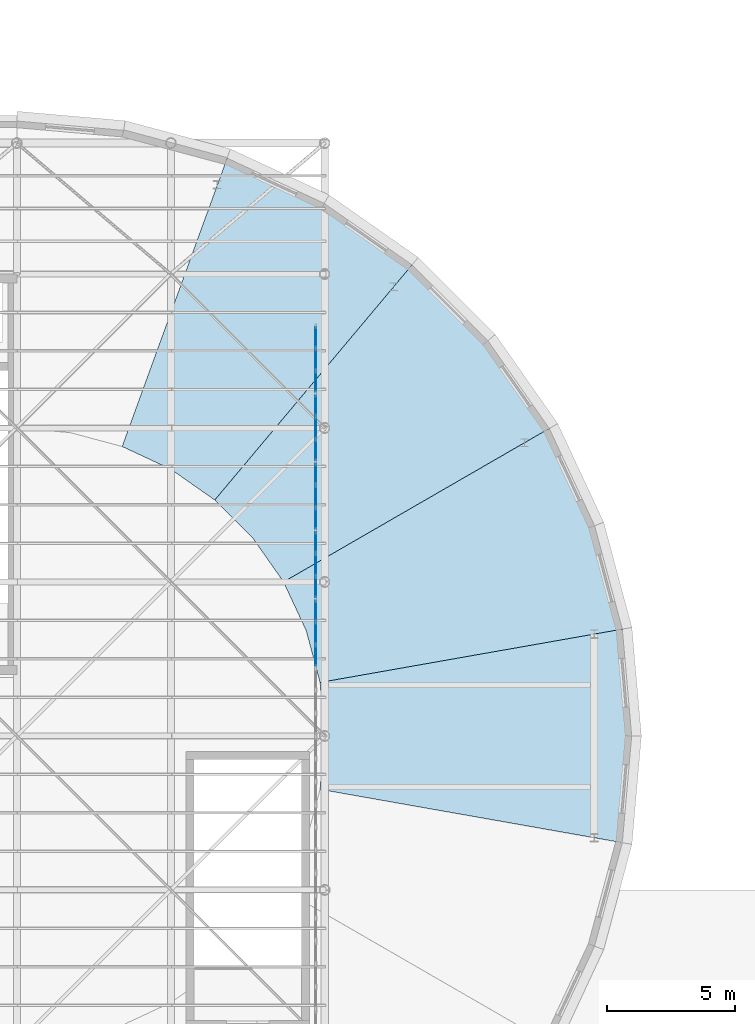
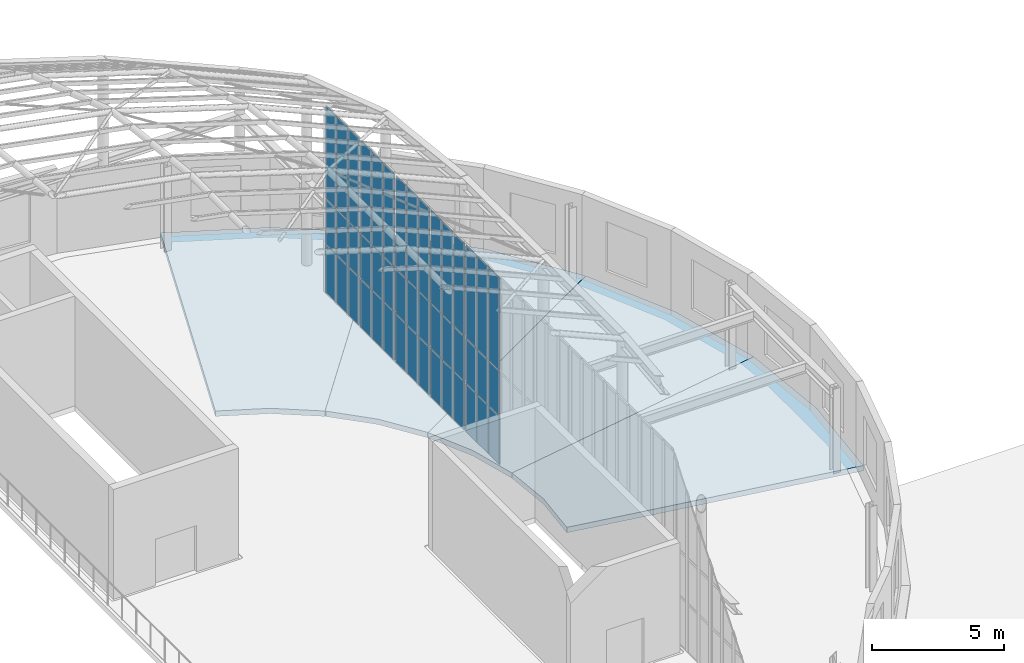
# One storey, part 59 of 75: 45 plates, 4 slabs, 5 elements without a shape of their own.
"""IFC4 building model written with IfcOpenShell, lengths in metres."""

import ifcopenshell
import ifcopenshell.guid

model = None  # the IFC model being written
_history = None  # IfcOwnerHistory: only IFC2X3 demands one
_inside = {}  # id of a spatial element -> (the spatial element, [elements in it])
_under = {}  # id of a project, library or spatial element -> (it, [spatial elements below it])
_declared = {}  # id of a project -> (the project, [libraries it declares])
_typed = {}  # id of a type object -> (the type object, [elements of that type])
_made_of = {}  # id of a material, layer set ... -> (it, [elements and type objects made of it])


def new_model(schema):
    """Start an empty IFC model of exactly this schema.

    Asked for "IFC4X3", IfcOpenShell would pick the latest addendum, in which some entities
    have other attributes; the version numbers below select the first issue.
    IFC2X3 requires an IfcOwnerHistory on every rooted entity: one is made here for all.
    """
    global model, _history
    if schema == "IFC4X3":
        model = ifcopenshell.file(schema_version=(4, 3, 0, 0))
    else:
        model = ifcopenshell.file(schema=schema)
    _inside.clear()
    _under.clear()
    _declared.clear()
    _typed.clear()
    _made_of.clear()
    _history = None
    if model.schema == "IFC2X3":
        org = make("IfcOrganization", Name="unknown")
        user = make(
            "IfcPersonAndOrganization",
            ThePerson=make("IfcPerson", FamilyName="unknown"),
            TheOrganization=org,
        )
        app = make(
            "IfcApplication",
            ApplicationDeveloper=org,
            Version="unknown",
            ApplicationFullName="unknown",
            ApplicationIdentifier="unknown",
        )
        _history = make(
            "IfcOwnerHistory",
            OwningUser=user,
            OwningApplication=app,
            ChangeAction="ADDED",
            CreationDate=0,
        )
    return model


def make(cls, **values):
    """One entity of the class cls with the attributes given. An attribute that is None is left unset."""
    return model.create_entity(
        cls, **{name: value for name, value in values.items() if value is not None}
    )


def rooted(cls, **values):
    """An entity with a GlobalId (a new one), such as an element, a storey or a relation."""
    return make(cls, GlobalId=ifcopenshell.guid.new(), OwnerHistory=_history, **values)


def si_unit(unit_type, name, prefix=None):
    """IfcSIUnit, for example si_unit("LENGTHUNIT", "METRE", prefix="MILLI")."""
    return make("IfcSIUnit", UnitType=unit_type, Prefix=prefix, Name=name)


def assignment(units):
    """IfcUnitAssignment: the units of a project."""
    return None if units is None else make("IfcUnitAssignment", Units=units)


def point(xyz):
    """IfcCartesianPoint."""
    return None if xyz is None else make("IfcCartesianPoint", Coordinates=xyz)


def direction(xyz):
    """IfcDirection."""
    return None if xyz is None else make("IfcDirection", DirectionRatios=xyz)


def frame(location, z_axis=None, x_axis=None):
    """IfcAxis2Placement3D, a coordinate frame: its origin and axes. An axis left out is left unset."""
    return make(
        "IfcAxis2Placement3D",
        Location=point(location),
        Axis=direction(z_axis),
        RefDirection=direction(x_axis),
    )


def frame_2d(location, x_axis=None):
    """IfcAxis2Placement2D, a coordinate frame in the plane: its origin and x axis."""
    return make(
        "IfcAxis2Placement2D", Location=point(location), RefDirection=direction(x_axis)
    )


def origin():
    """The frame at (0, 0, 0) with its axes left unset."""
    return frame((0.0, 0.0, 0.0))


def origin_2d():
    """The frame at (0, 0) in the plane with its x axis left unset."""
    return frame_2d((0.0, 0.0))


def place(relative_to, where):
    """IfcLocalPlacement: puts the frame where relative to a parent placement (None: the world)."""
    return make(
        "IfcLocalPlacement", PlacementRelTo=relative_to, RelativePlacement=where
    )


def context(
    kind, dimensions, precision=None, world=None, true_north=None, identifier=None
):
    """IfcGeometricRepresentationContext, for example the 3D "Model" context."""
    return make(
        "IfcGeometricRepresentationContext",
        ContextIdentifier=identifier,
        ContextType=kind,
        CoordinateSpaceDimension=dimensions,
        Precision=precision,
        WorldCoordinateSystem=world,
        TrueNorth=true_north,
    )


def subcontext(parent, identifier, kind, view, scale=None):
    """IfcGeometricRepresentationSubContext, for example "Body" below "Model"."""
    return make(
        "IfcGeometricRepresentationSubContext",
        ContextIdentifier=identifier,
        ContextType=kind,
        ParentContext=parent,
        TargetScale=scale,
        TargetView=view,
    )


def project(units=None, contexts=None):
    """IfcProject with its units and contexts."""
    return rooted(
        "IfcProject",
        Name="project",
        RepresentationContexts=contexts,
        UnitsInContext=assignment(units),
    )


def spatial(cls, under=None, at=None, **own):
    """A site, building, storey or space (cls), placed at a placement, below another one or the project."""
    s = rooted(cls, ObjectPlacement=at, **own)
    if under is not None:
        _under.setdefault(under.id(), (under, []))[1].append(s)
    return s


def polyline(points):
    """IfcPolyline through the points."""
    return make("IfcPolyline", Points=[point(p) for p in points])


def profile(cls, at=None, kind="AREA", **sizes):
    """A parametric profile (cls). Its sizes go by their IFC names, for example OverallWidth=200.0."""
    return make(cls, ProfileType=kind, Position=at, **sizes)


def rectangle(**sizes):
    """IfcRectangleProfileDef."""
    return profile("IfcRectangleProfileDef", **sizes)


def outline(outer, holes=None, kind="AREA"):
    """IfcArbitraryClosedProfileDef: a profile drawn as a closed curve; with holes, ...WithVoids."""
    if holes is None:
        return make("IfcArbitraryClosedProfileDef", ProfileType=kind, OuterCurve=outer)
    return make(
        "IfcArbitraryProfileDefWithVoids",
        ProfileType=kind,
        OuterCurve=outer,
        InnerCurves=holes,
    )


def extrude(swept, where, along, depth):
    """IfcExtrudedAreaSolid: the profile swept, set in the frame where, extruded along a direction by depth."""
    return make(
        "IfcExtrudedAreaSolid",
        SweptArea=swept,
        Position=where,
        ExtrudedDirection=direction(along),
        Depth=depth,
    )


def shape(context_of_items, identifier, shape_type, items):
    """IfcShapeRepresentation: the items that make up one representation, for example the "Body"."""
    return make(
        "IfcShapeRepresentation",
        ContextOfItems=context_of_items,
        RepresentationIdentifier=identifier,
        RepresentationType=shape_type,
        Items=items,
    )


def material(Name=None, Category=None):
    """IfcMaterial."""
    return make("IfcMaterial", Name=Name, Category=Category)


def layer(
    of_material, thickness, ventilated=None, Name=None, Category=None, Priority=None
):
    """IfcMaterialLayer: one layer of a wall or slab, of a material (None: an air gap)."""
    return make(
        "IfcMaterialLayer",
        Material=of_material,
        LayerThickness=thickness,
        IsVentilated=ventilated,
        Name=Name,
        Category=Category,
        Priority=Priority,
    )


def layer_set(layers, Name=None):
    """IfcMaterialLayerSet."""
    return make("IfcMaterialLayerSet", MaterialLayers=layers, LayerSetName=Name)


def made_of(thing, what):
    """Note that an element or type object is made of a material, layer set ...; save() writes the relation."""
    if what is not None:
        _made_of.setdefault(what.id(), (what, []))[1].append(thing)
    return thing


def type_object(cls, material=None, **own):
    """A type object (cls), such as IfcWallType, which elements share."""
    return made_of(rooted(cls, **own), material)


def element(
    cls,
    number,
    at=None,
    inside=None,
    cuts=None,
    type_object=None,
    material=None,
    context=None,
    identifier="Body",
    shape_type=None,
    held_by="IfcProductDefinitionShape",
    body=None,
    shapes=None,
    **own,
):
    """One element of the class cls, such as IfcWall. Its Tag is "e" and its number.

    at: its placement. inside: the storey or other place that contains it. cuts: it is an
    opening in that element (IfcRelVoidsElement). A single representation is given by context,
    identifier, shape_type and body (its items); several are given by shapes. held_by: the class
    of the entity that holds the representations. save() writes the other relations.
    """
    e = rooted(cls, Tag="e%d" % number, ObjectPlacement=at, **own)
    if body is not None:
        shapes = [shape(context, identifier, shape_type, body)]
    if shapes is not None:
        e.Representation = make(held_by, Representations=shapes)
    if inside is not None:
        _inside.setdefault(inside.id(), (inside, []))[1].append(e)
    if cuts is not None:
        rooted(
            "IfcRelVoidsElement", RelatingBuildingElement=cuts, RelatedOpeningElement=e
        )
    if type_object is not None:
        _typed.setdefault(type_object.id(), (type_object, []))[1].append(e)
    return made_of(e, material)


def aggregate(whole, parts):
    """IfcRelAggregates: a whole, such as a stair, and the parts it consists of."""
    return rooted("IfcRelAggregates", RelatingObject=whole, RelatedObjects=parts)


def save(model, path):
    """Write the relations noted so far, then the file.

    IfcRelAggregates (storeys below a building ...), IfcRelContainedInSpatialStructure (elements
    in a storey), IfcRelDefinesByType, IfcRelAssociatesMaterial and IfcRelDeclares: one each for
    every whole, place, type object, material and project.
    """
    for whole, parts in _under.values():
        aggregate(whole, parts)
    for where, things in _inside.values():
        rooted(
            "IfcRelContainedInSpatialStructure",
            RelatedElements=things,
            RelatingStructure=where,
        )
    for kind, things in _typed.values():
        rooted("IfcRelDefinesByType", RelatedObjects=things, RelatingType=kind)
    for what, things in _made_of.values():
        rooted("IfcRelAssociatesMaterial", RelatedObjects=things, RelatingMaterial=what)
    for by, libraries in _declared.values():
        rooted("IfcRelDeclares", RelatingContext=by, RelatedDefinitions=libraries)
    model.write(path)


model = new_model("IFC4")

# Units and contexts
model_context = context("Model", 3, precision=1e-05, world=origin(), true_north=direction((0.0, 1.0)))
body_context = subcontext(model_context, "Body", "Model", "MODEL_VIEW")
ifc_project = project(units=[si_unit("LENGTHUNIT", "METRE"), si_unit("AREAUNIT", "SQUARE_METRE"), si_unit("VOLUMEUNIT", "CUBIC_METRE"), si_unit("PLANEANGLEUNIT", "RADIAN"), si_unit("MASSUNIT", "GRAM", prefix="KILO")], contexts=[model_context])

# Site, building, storey
site_placement = place(None, origin())
site = spatial("IfcSite", under=ifc_project, at=site_placement, CompositionType="ELEMENT")
building_placement = place(site_placement, origin())
building = spatial("IfcBuilding", under=site, at=building_placement, Name="Kolvaren Corner Interchange", CompositionType="ELEMENT")
storey_placement = place(building_placement, frame((0.0, 0.0, 10.5)))
storey = spatial("IfcBuildingStorey", under=building, at=storey_placement, Name="L03", CompositionType="ELEMENT", Elevation=10.5)

# Curtain wall, plates
ifc_material_1 = material(Name="Unitised Aluminium and Solar-Control Glass Curtain Wall", Category="aluminium")
curtain_wall_type = type_object("IfcCurtainWallType", Name="CW-V1-CLER", PredefinedType="NOTDEFINED", material=ifc_material_1)
curtain_wall_1_placement = place(storey_placement, origin())
curtain_wall_1 = element("IfcCurtainWall", 1, at=curtain_wall_1_placement, inside=storey, type_object=curtain_wall_type, Name="Gridshell East End Curtain Wall Bay 08", PredefinedType="NOTDEFINED")
ifc_material_2 = material(Name="Low-E Solar-Control Laminated Glass", Category="glass")
ifc_layer_1 = layer(ifc_material_2, 0.035888671875)
ifc_layer_set_1 = layer_set([ifc_layer_1], Name="Low-E Solar-Control Laminated Glass")
plate_type = type_object("IfcPlateType", Name="PLT-CW-GL32", PredefinedType="CURTAIN_PANEL", material=ifc_layer_set_1)
plate_1_placement = place(storey_placement, frame((131.64990234375, 51.128662109375, 0.06005859375), z_axis=(0.0, 0.0, 1.0), x_axis=(0.0, 1.0, 0.0)))
plate_1 = element("IfcPlate", 2, at=plate_1_placement, type_object=plate_type, Name="CW-101 panel 1.1", PredefinedType="CURTAIN_PANEL", context=body_context, shape_type="SweptSolid", body=[
    extrude(rectangle(XDim=0.783935546875, YDim=0.035888671875, at=origin_2d()), origin(), (0.0, 0.0, 1.0), 2.2099609375),
])
plate_2_placement = place(storey_placement, frame((131.64990234375, 51.128662109375, 2.330078125), z_axis=(0.0, 0.0, 1.0), x_axis=(0.0, 1.0, 0.0)))
plate_2 = element("IfcPlate", 3, at=plate_2_placement, type_object=plate_type, Name="CW-101 panel 1.2", PredefinedType="CURTAIN_PANEL", context=body_context, shape_type="SweptSolid", body=[
    extrude(rectangle(XDim=0.783935546875, YDim=0.035888671875, at=origin_2d()), origin(), (0.0, 0.0, 1.0), 2.0400390625),
])
plate_3_placement = place(storey_placement, frame((131.64990234375, 51.128662109375, 4.43017578125), z_axis=(0.0, 0.0, 1.0), x_axis=(0.0, 1.0, 0.0)))
plate_3 = element("IfcPlate", 4, at=plate_3_placement, type_object=plate_type, Name="CW-101 panel 1.3", PredefinedType="CURTAIN_PANEL", context=body_context, shape_type="SweptSolid", body=[
    extrude(rectangle(XDim=0.783935546875, YDim=0.035888671875, at=origin_2d()), origin(), (0.0, 0.0, 1.0), 4.281982421875),
])
plate_4_placement = place(storey_placement, frame((131.64990234375, 52.0, 0.06005859375), z_axis=(0.0, 0.0, 1.0), x_axis=(0.0, 1.0, 0.0)))
plate_4 = element("IfcPlate", 5, at=plate_4_placement, type_object=plate_type, Name="CW-101 panel 2.1", PredefinedType="CURTAIN_PANEL", context=body_context, shape_type="SweptSolid", body=[
    extrude(rectangle(XDim=0.81884765625, YDim=0.035888671875, at=origin_2d()), origin(), (0.0, 0.0, 1.0), 2.2099609375),
])
plate_5_placement = place(storey_placement, frame((131.64990234375, 52.0, 2.330078125), z_axis=(0.0, 0.0, 1.0), x_axis=(0.0, 1.0, 0.0)))
plate_5 = element("IfcPlate", 6, at=plate_5_placement, type_object=plate_type, Name="CW-101 panel 2.2", PredefinedType="CURTAIN_PANEL", context=body_context, shape_type="SweptSolid", body=[
    extrude(rectangle(XDim=0.81884765625, YDim=0.035888671875, at=origin_2d()), origin(), (0.0, 0.0, 1.0), 2.0400390625),
])
plate_6_placement = place(storey_placement, frame((131.64990234375, 52.0, 4.43017578125), z_axis=(0.0, 0.0, 1.0), x_axis=(0.0, 1.0, 0.0)))
plate_6 = element("IfcPlate", 7, at=plate_6_placement, type_object=plate_type, Name="CW-101 panel 2.3", PredefinedType="CURTAIN_PANEL", context=body_context, shape_type="SweptSolid", body=[
    extrude(rectangle(XDim=0.81884765625, YDim=0.035888671875, at=origin_2d()), origin(), (0.0, 0.0, 1.0), 4.281982421875),
])
plate_7_placement = place(storey_placement, frame((131.64990234375, 52.871337890625, 0.06005859375), z_axis=(0.0, 0.0, 1.0), x_axis=(0.0, 1.0, 0.0)))
plate_7 = element("IfcPlate", 8, at=plate_7_placement, type_object=plate_type, Name="CW-101 panel 3.1", PredefinedType="CURTAIN_PANEL", context=body_context, shape_type="SweptSolid", body=[
    extrude(rectangle(XDim=0.783935546875, YDim=0.035888671875, at=origin_2d()), origin(), (0.0, 0.0, 1.0), 2.2099609375),
])
plate_8_placement = place(storey_placement, frame((131.64990234375, 52.871337890625, 2.330078125), z_axis=(0.0, 0.0, 1.0), x_axis=(0.0, 1.0, 0.0)))
plate_8 = element("IfcPlate", 9, at=plate_8_placement, type_object=plate_type, Name="CW-101 panel 3.2", PredefinedType="CURTAIN_PANEL", context=body_context, shape_type="SweptSolid", body=[
    extrude(rectangle(XDim=0.783935546875, YDim=0.035888671875, at=origin_2d()), origin(), (0.0, 0.0, 1.0), 2.0400390625),
])
plate_9_placement = place(storey_placement, frame((131.64990234375, 52.871337890625, 4.43017578125), z_axis=(0.0, 0.0, 1.0), x_axis=(0.0, 1.0, 0.0)))
plate_9 = element("IfcPlate", 10, at=plate_9_placement, type_object=plate_type, Name="CW-101 panel 3.3", PredefinedType="CURTAIN_PANEL", context=body_context, shape_type="SweptSolid", body=[
    extrude(rectangle(XDim=0.783935546875, YDim=0.035888671875, at=origin_2d()), origin(), (0.0, 0.0, 1.0), 4.281982421875),
])
aggregate(curtain_wall_1, [plate_1, plate_2, plate_3, plate_4, plate_5, plate_6, plate_7, plate_8, plate_9])

curtain_wall_2_placement = place(storey_placement, origin())
curtain_wall_2 = element("IfcCurtainWall", 11, at=curtain_wall_2_placement, inside=storey, type_object=curtain_wall_type, Name="Gridshell East End Curtain Wall Bay 09", PredefinedType="NOTDEFINED")
plate_10_placement = place(storey_placement, frame((131.64990234375, 53.795166015625, 0.06005859375), z_axis=(0.0, 0.0, 1.0), x_axis=(0.0, 1.0, 0.0)))
plate_10 = element("IfcPlate", 12, at=plate_10_placement, type_object=plate_type, Name="CW-102 panel 1.1", PredefinedType="CURTAIN_PANEL", context=body_context, shape_type="SweptSolid", body=[
    extrude(rectangle(XDim=0.783935546875, YDim=0.035888671875, at=origin_2d()), origin(), (0.0, 0.0, 1.0), 2.2099609375),
])
plate_11_placement = place(storey_placement, frame((131.64990234375, 53.795166015625, 2.330078125), z_axis=(0.0, 0.0, 1.0), x_axis=(0.0, 1.0, 0.0)))
plate_11 = element("IfcPlate", 13, at=plate_11_placement, type_object=plate_type, Name="CW-102 panel 1.2", PredefinedType="CURTAIN_PANEL", context=body_context, shape_type="SweptSolid", body=[
    extrude(rectangle(XDim=0.783935546875, YDim=0.035888671875, at=origin_2d()), origin(), (0.0, 0.0, 1.0), 2.0400390625),
])
plate_12_placement = place(storey_placement, frame((131.64990234375, 53.795166015625, 4.43017578125), z_axis=(0.0, 0.0, 1.0), x_axis=(0.0, 1.0, 0.0)))
plate_12 = element("IfcPlate", 14, at=plate_12_placement, type_object=plate_type, Name="CW-102 panel 1.3", PredefinedType="CURTAIN_PANEL", context=body_context, shape_type="SweptSolid", body=[
    extrude(rectangle(XDim=0.783935546875, YDim=0.035888671875, at=origin_2d()), origin(), (0.0, 0.0, 1.0), 4.281982421875),
])
plate_13_placement = place(storey_placement, frame((131.64990234375, 54.666748046875, 0.06005859375), z_axis=(0.0, 0.0, 1.0), x_axis=(0.0, 1.0, 0.0)))
plate_13 = element("IfcPlate", 15, at=plate_13_placement, type_object=plate_type, Name="CW-102 panel 2.1", PredefinedType="CURTAIN_PANEL", context=body_context, shape_type="SweptSolid", body=[
    extrude(rectangle(XDim=0.81884765625, YDim=0.035888671875, at=origin_2d()), origin(), (0.0, 0.0, 1.0), 2.2099609375),
])
plate_14_placement = place(storey_placement, frame((131.64990234375, 54.666748046875, 2.330078125), z_axis=(0.0, 0.0, 1.0), x_axis=(0.0, 1.0, 0.0)))
plate_14 = element("IfcPlate", 16, at=plate_14_placement, type_object=plate_type, Name="CW-102 panel 2.2", PredefinedType="CURTAIN_PANEL", context=body_context, shape_type="SweptSolid", body=[
    extrude(rectangle(XDim=0.81884765625, YDim=0.035888671875, at=origin_2d()), origin(), (0.0, 0.0, 1.0), 2.0400390625),
])
plate_15_placement = place(storey_placement, frame((131.64990234375, 54.666748046875, 4.43017578125), z_axis=(0.0, 0.0, 1.0), x_axis=(0.0, 1.0, 0.0)))
plate_15 = element("IfcPlate", 17, at=plate_15_placement, type_object=plate_type, Name="CW-102 panel 2.3", PredefinedType="CURTAIN_PANEL", context=body_context, shape_type="SweptSolid", body=[
    extrude(rectangle(XDim=0.81884765625, YDim=0.035888671875, at=origin_2d()), origin(), (0.0, 0.0, 1.0), 4.281982421875),
])
plate_16_placement = place(storey_placement, frame((131.64990234375, 55.5380859375, 0.06005859375), z_axis=(0.0, 0.0, 1.0), x_axis=(0.0, 1.0, 0.0)))
plate_16 = element("IfcPlate", 18, at=plate_16_placement, type_object=plate_type, Name="CW-102 panel 3.1", PredefinedType="CURTAIN_PANEL", context=body_context, shape_type="SweptSolid", body=[
    extrude(rectangle(XDim=0.783935546875, YDim=0.035888671875, at=origin_2d()), origin(), (0.0, 0.0, 1.0), 2.2099609375),
])
plate_17_placement = place(storey_placement, frame((131.64990234375, 55.5380859375, 2.330078125), z_axis=(0.0, 0.0, 1.0), x_axis=(0.0, 1.0, 0.0)))
plate_17 = element("IfcPlate", 19, at=plate_17_placement, type_object=plate_type, Name="CW-102 panel 3.2", PredefinedType="CURTAIN_PANEL", context=body_context, shape_type="SweptSolid", body=[
    extrude(rectangle(XDim=0.783935546875, YDim=0.035888671875, at=origin_2d()), origin(), (0.0, 0.0, 1.0), 2.0400390625),
])
plate_18_placement = place(storey_placement, frame((131.64990234375, 55.5380859375, 4.43017578125), z_axis=(0.0, 0.0, 1.0), x_axis=(0.0, 1.0, 0.0)))
plate_18 = element("IfcPlate", 20, at=plate_18_placement, type_object=plate_type, Name="CW-102 panel 3.3", PredefinedType="CURTAIN_PANEL", context=body_context, shape_type="SweptSolid", body=[
    extrude(rectangle(XDim=0.783935546875, YDim=0.035888671875, at=origin_2d()), origin(), (0.0, 0.0, 1.0), 4.281982421875),
])
aggregate(curtain_wall_2, [plate_10, plate_11, plate_12, plate_13, plate_14, plate_15, plate_16, plate_17, plate_18])

curtain_wall_3_placement = place(storey_placement, origin())
curtain_wall_3 = element("IfcCurtainWall", 21, at=curtain_wall_3_placement, inside=storey, type_object=curtain_wall_type, Name="Gridshell East End Curtain Wall Bay 10", PredefinedType="NOTDEFINED")
plate_19_placement = place(storey_placement, frame((131.64990234375, 56.4619140625, 0.06005859375), z_axis=(0.0, 0.0, 1.0), x_axis=(0.0, 1.0, 0.0)))
plate_19 = element("IfcPlate", 22, at=plate_19_placement, type_object=plate_type, Name="CW-103 panel 1.1", PredefinedType="CURTAIN_PANEL", context=body_context, shape_type="SweptSolid", body=[
    extrude(rectangle(XDim=0.783935546875, YDim=0.035888671875, at=origin_2d()), origin(), (0.0, 0.0, 1.0), 2.2099609375),
])
plate_20_placement = place(storey_placement, frame((131.64990234375, 56.4619140625, 2.330078125), z_axis=(0.0, 0.0, 1.0), x_axis=(0.0, 1.0, 0.0)))
plate_20 = element("IfcPlate", 23, at=plate_20_placement, type_object=plate_type, Name="CW-103 panel 1.2", PredefinedType="CURTAIN_PANEL", context=body_context, shape_type="SweptSolid", body=[
    extrude(rectangle(XDim=0.783935546875, YDim=0.035888671875, at=origin_2d()), origin(), (0.0, 0.0, 1.0), 2.0400390625),
])
plate_21_placement = place(storey_placement, frame((131.64990234375, 56.4619140625, 4.43017578125), z_axis=(0.0, 0.0, 1.0), x_axis=(0.0, 1.0, 0.0)))
plate_21 = element("IfcPlate", 24, at=plate_21_placement, type_object=plate_type, Name="CW-103 panel 1.3", PredefinedType="CURTAIN_PANEL", context=body_context, shape_type="SweptSolid", body=[
    extrude(rectangle(XDim=0.783935546875, YDim=0.035888671875, at=origin_2d()), origin(), (0.0, 0.0, 1.0), 4.281982421875),
])
plate_22_placement = place(storey_placement, frame((131.64990234375, 57.333251953125, 0.06005859375), z_axis=(0.0, 0.0, 1.0), x_axis=(0.0, 1.0, 0.0)))
plate_22 = element("IfcPlate", 25, at=plate_22_placement, type_object=plate_type, Name="CW-103 panel 2.1", PredefinedType="CURTAIN_PANEL", context=body_context, shape_type="SweptSolid", body=[
    extrude(rectangle(XDim=0.81884765625, YDim=0.035888671875, at=origin_2d()), origin(), (0.0, 0.0, 1.0), 2.2099609375),
])
plate_23_placement = place(storey_placement, frame((131.64990234375, 57.333251953125, 2.330078125), z_axis=(0.0, 0.0, 1.0), x_axis=(0.0, 1.0, 0.0)))
plate_23 = element("IfcPlate", 26, at=plate_23_placement, type_object=plate_type, Name="CW-103 panel 2.2", PredefinedType="CURTAIN_PANEL", context=body_context, shape_type="SweptSolid", body=[
    extrude(rectangle(XDim=0.81884765625, YDim=0.035888671875, at=origin_2d()), origin(), (0.0, 0.0, 1.0), 2.0400390625),
])
plate_24_placement = place(storey_placement, frame((131.64990234375, 57.333251953125, 4.43017578125), z_axis=(0.0, 0.0, 1.0), x_axis=(0.0, 1.0, 0.0)))
plate_24 = element("IfcPlate", 27, at=plate_24_placement, type_object=plate_type, Name="CW-103 panel 2.3", PredefinedType="CURTAIN_PANEL", context=body_context, shape_type="SweptSolid", body=[
    extrude(rectangle(XDim=0.81884765625, YDim=0.035888671875, at=origin_2d()), origin(), (0.0, 0.0, 1.0), 4.281982421875),
])
plate_25_placement = place(storey_placement, frame((131.64990234375, 58.204833984375, 0.06005859375), z_axis=(0.0, 0.0, 1.0), x_axis=(0.0, 1.0, 0.0)))
plate_25 = element("IfcPlate", 28, at=plate_25_placement, type_object=plate_type, Name="CW-103 panel 3.1", PredefinedType="CURTAIN_PANEL", context=body_context, shape_type="SweptSolid", body=[
    extrude(rectangle(XDim=0.783935546875, YDim=0.035888671875, at=origin_2d()), origin(), (0.0, 0.0, 1.0), 2.2099609375),
])
plate_26_placement = place(storey_placement, frame((131.64990234375, 58.204833984375, 2.330078125), z_axis=(0.0, 0.0, 1.0), x_axis=(0.0, 1.0, 0.0)))
plate_26 = element("IfcPlate", 29, at=plate_26_placement, type_object=plate_type, Name="CW-103 panel 3.2", PredefinedType="CURTAIN_PANEL", context=body_context, shape_type="SweptSolid", body=[
    extrude(rectangle(XDim=0.783935546875, YDim=0.035888671875, at=origin_2d()), origin(), (0.0, 0.0, 1.0), 2.0400390625),
])
plate_27_placement = place(storey_placement, frame((131.64990234375, 58.204833984375, 4.43017578125), z_axis=(0.0, 0.0, 1.0), x_axis=(0.0, 1.0, 0.0)))
plate_27 = element("IfcPlate", 30, at=plate_27_placement, type_object=plate_type, Name="CW-103 panel 3.3", PredefinedType="CURTAIN_PANEL", context=body_context, shape_type="SweptSolid", body=[
    extrude(rectangle(XDim=0.783935546875, YDim=0.035888671875, at=origin_2d()), origin(), (0.0, 0.0, 1.0), 4.281982421875),
])
aggregate(curtain_wall_3, [plate_19, plate_20, plate_21, plate_22, plate_23, plate_24, plate_25, plate_26, plate_27])

curtain_wall_4_placement = place(storey_placement, origin())
curtain_wall_4 = element("IfcCurtainWall", 31, at=curtain_wall_4_placement, inside=storey, type_object=curtain_wall_type, Name="Gridshell East End Curtain Wall Bay 11", PredefinedType="NOTDEFINED")
plate_28_placement = place(storey_placement, frame((131.64990234375, 59.128662109375, 0.06005859375), z_axis=(0.0, 0.0, 1.0), x_axis=(0.0, 1.0, 0.0)))
plate_28 = element("IfcPlate", 32, at=plate_28_placement, type_object=plate_type, Name="CW-104 panel 1.1", PredefinedType="CURTAIN_PANEL", context=body_context, shape_type="SweptSolid", body=[
    extrude(rectangle(XDim=0.783935546875, YDim=0.035888671875, at=origin_2d()), origin(), (0.0, 0.0, 1.0), 2.2099609375),
])
plate_29_placement = place(storey_placement, frame((131.64990234375, 59.128662109375, 2.330078125), z_axis=(0.0, 0.0, 1.0), x_axis=(0.0, 1.0, 0.0)))
plate_29 = element("IfcPlate", 33, at=plate_29_placement, type_object=plate_type, Name="CW-104 panel 1.2", PredefinedType="CURTAIN_PANEL", context=body_context, shape_type="SweptSolid", body=[
    extrude(rectangle(XDim=0.783935546875, YDim=0.035888671875, at=origin_2d()), origin(), (0.0, 0.0, 1.0), 2.0400390625),
])
plate_30_placement = place(storey_placement, frame((131.64990234375, 59.128662109375, 4.43017578125), z_axis=(0.0, 0.0, 1.0), x_axis=(0.0, 1.0, 0.0)))
plate_30 = element("IfcPlate", 34, at=plate_30_placement, type_object=plate_type, Name="CW-104 panel 1.3", PredefinedType="CURTAIN_PANEL", context=body_context, shape_type="SweptSolid", body=[
    extrude(rectangle(XDim=0.783935546875, YDim=0.035888671875, at=origin_2d()), origin(), (0.0, 0.0, 1.0), 4.281982421875),
])
plate_31_placement = place(storey_placement, frame((131.64990234375, 60.0, 0.06005859375), z_axis=(0.0, 0.0, 1.0), x_axis=(0.0, 1.0, 0.0)))
plate_31 = element("IfcPlate", 35, at=plate_31_placement, type_object=plate_type, Name="CW-104 panel 2.1", PredefinedType="CURTAIN_PANEL", context=body_context, shape_type="SweptSolid", body=[
    extrude(rectangle(XDim=0.81884765625, YDim=0.035888671875, at=origin_2d()), origin(), (0.0, 0.0, 1.0), 2.2099609375),
])
plate_32_placement = place(storey_placement, frame((131.64990234375, 60.0, 2.330078125), z_axis=(0.0, 0.0, 1.0), x_axis=(0.0, 1.0, 0.0)))
plate_32 = element("IfcPlate", 36, at=plate_32_placement, type_object=plate_type, Name="CW-104 panel 2.2", PredefinedType="CURTAIN_PANEL", context=body_context, shape_type="SweptSolid", body=[
    extrude(rectangle(XDim=0.81884765625, YDim=0.035888671875, at=origin_2d()), origin(), (0.0, 0.0, 1.0), 2.0400390625),
])
plate_33_placement = place(storey_placement, frame((131.64990234375, 60.0, 4.43017578125), z_axis=(0.0, 0.0, 1.0), x_axis=(0.0, 1.0, 0.0)))
plate_33 = element("IfcPlate", 37, at=plate_33_placement, type_object=plate_type, Name="CW-104 panel 2.3", PredefinedType="CURTAIN_PANEL", context=body_context, shape_type="SweptSolid", body=[
    extrude(rectangle(XDim=0.81884765625, YDim=0.035888671875, at=origin_2d()), origin(), (0.0, 0.0, 1.0), 4.281982421875),
])
plate_34_placement = place(storey_placement, frame((131.64990234375, 60.871337890625, 0.06005859375), z_axis=(0.0, 0.0, 1.0), x_axis=(0.0, 1.0, 0.0)))
plate_34 = element("IfcPlate", 38, at=plate_34_placement, type_object=plate_type, Name="CW-104 panel 3.1", PredefinedType="CURTAIN_PANEL", context=body_context, shape_type="SweptSolid", body=[
    extrude(rectangle(XDim=0.783935546875, YDim=0.035888671875, at=origin_2d()), origin(), (0.0, 0.0, 1.0), 2.2099609375),
])
plate_35_placement = place(storey_placement, frame((131.64990234375, 60.871337890625, 2.330078125), z_axis=(0.0, 0.0, 1.0), x_axis=(0.0, 1.0, 0.0)))
plate_35 = element("IfcPlate", 39, at=plate_35_placement, type_object=plate_type, Name="CW-104 panel 3.2", PredefinedType="CURTAIN_PANEL", context=body_context, shape_type="SweptSolid", body=[
    extrude(rectangle(XDim=0.783935546875, YDim=0.035888671875, at=origin_2d()), origin(), (0.0, 0.0, 1.0), 2.0400390625),
])
plate_36_placement = place(storey_placement, frame((131.64990234375, 60.871337890625, 4.43017578125), z_axis=(0.0, 0.0, 1.0), x_axis=(0.0, 1.0, 0.0)))
plate_36 = element("IfcPlate", 40, at=plate_36_placement, type_object=plate_type, Name="CW-104 panel 3.3", PredefinedType="CURTAIN_PANEL", context=body_context, shape_type="SweptSolid", body=[
    extrude(rectangle(XDim=0.783935546875, YDim=0.035888671875, at=origin_2d()), origin(), (0.0, 0.0, 1.0), 4.281982421875),
])
aggregate(curtain_wall_4, [plate_28, plate_29, plate_30, plate_31, plate_32, plate_33, plate_34, plate_35, plate_36])

curtain_wall_5_placement = place(storey_placement, origin())
curtain_wall_5 = element("IfcCurtainWall", 41, at=curtain_wall_5_placement, inside=storey, type_object=curtain_wall_type, Name="Gridshell East End Curtain Wall Bay 12", PredefinedType="NOTDEFINED")
plate_37_placement = place(storey_placement, frame((131.64990234375, 61.795166015625, 0.06005859375), z_axis=(0.0, 0.0, 1.0), x_axis=(0.0, 1.0, 0.0)))
plate_37 = element("IfcPlate", 42, at=plate_37_placement, type_object=plate_type, Name="CW-105 panel 1.1", PredefinedType="CURTAIN_PANEL", context=body_context, shape_type="SweptSolid", body=[
    extrude(rectangle(XDim=0.783935546875, YDim=0.035888671875, at=origin_2d()), origin(), (0.0, 0.0, 1.0), 2.2099609375),
])
plate_38_placement = place(storey_placement, frame((131.64990234375, 61.795166015625, 2.330078125), z_axis=(0.0, 0.0, 1.0), x_axis=(0.0, 1.0, 0.0)))
plate_38 = element("IfcPlate", 43, at=plate_38_placement, type_object=plate_type, Name="CW-105 panel 1.2", PredefinedType="CURTAIN_PANEL", context=body_context, shape_type="SweptSolid", body=[
    extrude(rectangle(XDim=0.783935546875, YDim=0.035888671875, at=origin_2d()), origin(), (0.0, 0.0, 1.0), 2.0400390625),
])
plate_39_placement = place(storey_placement, frame((131.64990234375, 61.795166015625, 4.43017578125), z_axis=(0.0, 0.0, 1.0), x_axis=(0.0, 1.0, 0.0)))
plate_39 = element("IfcPlate", 44, at=plate_39_placement, type_object=plate_type, Name="CW-105 panel 1.3", PredefinedType="CURTAIN_PANEL", context=body_context, shape_type="SweptSolid", body=[
    extrude(rectangle(XDim=0.783935546875, YDim=0.035888671875, at=origin_2d()), origin(), (0.0, 0.0, 1.0), 4.281982421875),
])
plate_40_placement = place(storey_placement, frame((131.64990234375, 62.666748046875, 0.06005859375), z_axis=(0.0, 0.0, 1.0), x_axis=(0.0, 1.0, 0.0)))
plate_40 = element("IfcPlate", 45, at=plate_40_placement, type_object=plate_type, Name="CW-105 panel 2.1", PredefinedType="CURTAIN_PANEL", context=body_context, shape_type="SweptSolid", body=[
    extrude(rectangle(XDim=0.81884765625, YDim=0.035888671875, at=origin_2d()), origin(), (0.0, 0.0, 1.0), 2.2099609375),
])
plate_41_placement = place(storey_placement, frame((131.64990234375, 62.666748046875, 2.330078125), z_axis=(0.0, 0.0, 1.0), x_axis=(0.0, 1.0, 0.0)))
plate_41 = element("IfcPlate", 46, at=plate_41_placement, type_object=plate_type, Name="CW-105 panel 2.2", PredefinedType="CURTAIN_PANEL", context=body_context, shape_type="SweptSolid", body=[
    extrude(rectangle(XDim=0.81884765625, YDim=0.035888671875, at=origin_2d()), origin(), (0.0, 0.0, 1.0), 2.0400390625),
])
plate_42_placement = place(storey_placement, frame((131.64990234375, 62.666748046875, 4.43017578125), z_axis=(0.0, 0.0, 1.0), x_axis=(0.0, 1.0, 0.0)))
plate_42 = element("IfcPlate", 47, at=plate_42_placement, type_object=plate_type, Name="CW-105 panel 2.3", PredefinedType="CURTAIN_PANEL", context=body_context, shape_type="SweptSolid", body=[
    extrude(rectangle(XDim=0.81884765625, YDim=0.035888671875, at=origin_2d()), origin(), (0.0, 0.0, 1.0), 4.281982421875),
])
plate_43_placement = place(storey_placement, frame((131.64990234375, 63.5380859375, 0.06005859375), z_axis=(0.0, 0.0, 1.0), x_axis=(0.0, 1.0, 0.0)))
plate_43 = element("IfcPlate", 48, at=plate_43_placement, type_object=plate_type, Name="CW-105 panel 3.1", PredefinedType="CURTAIN_PANEL", context=body_context, shape_type="SweptSolid", body=[
    extrude(rectangle(XDim=0.783935546875, YDim=0.035888671875, at=origin_2d()), origin(), (0.0, 0.0, 1.0), 2.2099609375),
])
plate_44_placement = place(storey_placement, frame((131.64990234375, 63.5380859375, 2.330078125), z_axis=(0.0, 0.0, 1.0), x_axis=(0.0, 1.0, 0.0)))
plate_44 = element("IfcPlate", 49, at=plate_44_placement, type_object=plate_type, Name="CW-105 panel 3.2", PredefinedType="CURTAIN_PANEL", context=body_context, shape_type="SweptSolid", body=[
    extrude(rectangle(XDim=0.783935546875, YDim=0.035888671875, at=origin_2d()), origin(), (0.0, 0.0, 1.0), 2.0400390625),
])
plate_45_placement = place(storey_placement, frame((131.64990234375, 63.5380859375, 4.43017578125), z_axis=(0.0, 0.0, 1.0), x_axis=(0.0, 1.0, 0.0)))
plate_45 = element("IfcPlate", 50, at=plate_45_placement, type_object=plate_type, Name="CW-105 panel 3.3", PredefinedType="CURTAIN_PANEL", context=body_context, shape_type="SweptSolid", body=[
    extrude(rectangle(XDim=0.783935546875, YDim=0.035888671875, at=origin_2d()), origin(), (0.0, 0.0, 1.0), 4.281982421875),
])
aggregate(curtain_wall_5, [plate_37, plate_38, plate_39, plate_40, plate_41, plate_42, plate_43, plate_44, plate_45])

# Slabs
ifc_material_3 = material(Name="Concrete C35/45", Category="concrete")
ifc_layer_2 = layer(ifc_material_3, 0.25)
ifc_layer_set_2 = layer_set([ifc_layer_2], Name="Concrete C35/45")
slab_type = type_object("IfcSlabType", Name="SL-COMP-250", PredefinedType="FLOOR", material=ifc_layer_set_2)
slab_1_placement = place(storey_placement, frame((0.0, 0.0, -0.25)))
element("IfcSlab", 51, at=slab_1_placement, inside=storey, type_object=slab_type, Name="Level 03 Racetrack East Sky Gallery Radial Slab 05", PredefinedType="FLOOR", context=body_context, shape_type="SweptSolid", body=[
    extrude(outline(polyline([(144.0, 48.0), (143.635498046875, 52.16748046875), (131.817626953125, 50.083740234375), (132.0, 48.0), (131.817626953125, 45.916259765625), (143.635498046875, 43.83251953125), (144.0, 48.0)])), origin(), (0.0, 0.0, 1.0), 0.25),
])
slab_2_placement = place(storey_placement, frame((0.0, 0.0, -0.25)))
element("IfcSlab", 52, at=slab_2_placement, inside=storey, type_object=slab_type, Name="Level 03 Racetrack East Sky Gallery Radial Slab 06", PredefinedType="FLOOR", context=body_context, shape_type="SweptSolid", body=[
    extrude(outline(polyline([(142.552490234375, 56.20849609375), (140.78466796875, 60.0), (130.392333984375, 54.0), (131.2763671875, 52.104248046875), (131.817626953125, 50.083740234375), (143.635498046875, 52.16748046875), (142.552490234375, 56.20849609375)])), origin(), (0.0, 0.0, 1.0), 0.25),
])
slab_3_placement = place(storey_placement, frame((0.0, 0.0, -0.25)))
element("IfcSlab", 53, at=slab_3_placement, inside=storey, type_object=slab_type, Name="Level 03 Racetrack East Sky Gallery Radial Slab 07", PredefinedType="FLOOR", context=body_context, shape_type="SweptSolid", body=[
    extrude(outline(polyline([(138.382568359375, 63.429443359375), (135.457763671875, 66.354248046875), (135.401611328125, 66.3544921875), (127.73095703125, 57.21044921875), (127.739501953125, 57.16650390625), (129.1923828125, 55.71337890625), (130.37939453125, 54.021484375), (130.424072265625, 54.018310546875), (140.758544921875, 59.98828125), (140.759521484375, 60.035888671875), (138.382568359375, 63.429443359375)])), origin(), (0.0, 0.0, 1.0), 0.25),
])
slab_4_placement = place(storey_placement, frame((0.0, 0.0, -0.25)))
element("IfcSlab", 54, at=slab_4_placement, inside=storey, type_object=slab_type, Name="Level 03 Racetrack East Sky Gallery Radial Slab 08", PredefinedType="FLOOR", context=body_context, shape_type="SweptSolid", body=[
    extrude(outline(polyline([(132.0, 68.78466796875), (128.20849609375, 70.552490234375), (124.104248046875, 59.2763671875), (126.0, 58.392333984375), (127.71337890625, 57.1923828125), (135.427001953125, 66.385009765625), (132.0, 68.78466796875)])), origin(), (0.0, 0.0, 1.0), 0.25),
])

save(model, "model.ifc")
